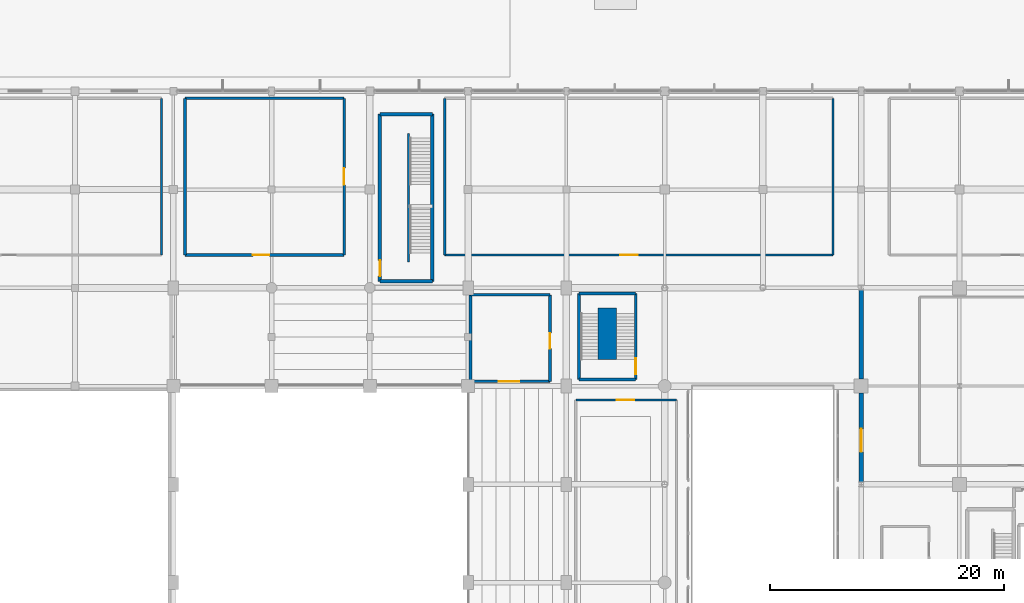
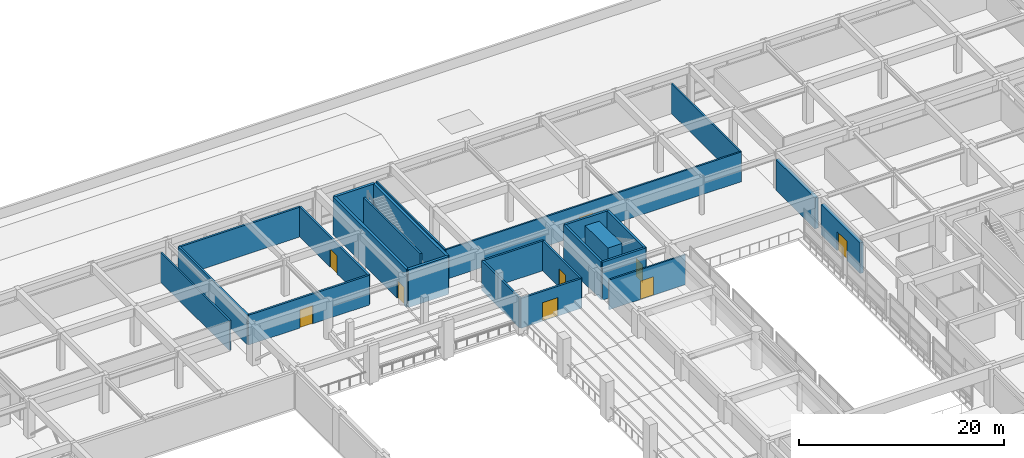
# One storey, part 47 of 60: 25 walls, 9 doors, 9 openings.
"""IFC4 building model written with IfcOpenShell, lengths in metres."""

from ifc_helpers import new_model, si_unit, direction, frame, frame_2d, origin, place, context, subcontext, project, spatial, rectangle, extrude, material, layer, layer_set, type_object, element, fill, save


model = new_model("IFC4")

# Units and contexts
model_context = context("Model", 3, precision=1e-05, world=origin(), true_north=direction((0.0, 1.0)))
body_context = subcontext(model_context, "Body", "Model", "MODEL_VIEW")
ifc_project = project(units=[si_unit("LENGTHUNIT", "METRE"), si_unit("AREAUNIT", "SQUARE_METRE"), si_unit("VOLUMEUNIT", "CUBIC_METRE"), si_unit("PLANEANGLEUNIT", "RADIAN"), si_unit("MASSUNIT", "GRAM", prefix="KILO")], contexts=[model_context])

# Site, building, storey
site_placement = place(None, origin())
site = spatial("IfcSite", under=ifc_project, at=site_placement, CompositionType="ELEMENT")
building_placement = place(site_placement, origin())
building = spatial("IfcBuilding", under=site, at=building_placement, Name="Xuanlan Plaza Opera House", CompositionType="ELEMENT")
storey_placement = place(building_placement, frame((0.0, 0.0, 9.89990234375)))
storey = spatial("IfcBuildingStorey", under=building, at=storey_placement, Name="L02", CompositionType="ELEMENT", Elevation=9.89990234375)

# Wall, opening, door
ifc_material_1 = material(Name="Gypsum Board and Galvanised Steel Studs", Category="gypsum")
ifc_layer_1 = layer(ifc_material_1, 0.179931640625)
ifc_layer_set_1 = layer_set([ifc_layer_1], Name="Gypsum Board and Galvanised Steel Studs")
wall_type_1 = type_object("IfcWallType", Name="INT-WL-PW-02", PredefinedType="PARTITIONING", material=ifc_layer_set_1)
wall_1_placement = place(storey_placement, frame((101.60009765625, 74.39990234375, 0.0), z_axis=(0.0, 0.0, 1.0), x_axis=(1.0, 0.0, 0.0)))
wall_1 = element("IfcWall", 1, at=wall_1_placement, inside=storey, type_object=wall_type_1, Name="Bel Canto Interval Lounge Wall North", PredefinedType="PARTITIONING", context=body_context, shape_type="SweptSolid", body=[
    extrude(rectangle(XDim=8.599853515625, YDim=0.179931640625, at=frame_2d((4.2998046875, 0.0))), origin(), (0.0, 0.0, 1.0), 3.5400390625),
])
opening_1_placement = place(wall_1_placement, frame((3.5, 0.0, 0.0)))
opening_1 = element("IfcOpeningElement", 2, at=opening_1_placement, cuts=wall_1, Name="Opening D-03", PredefinedType="OPENING", context=body_context, shape_type="SweptSolid", body=[
    extrude(rectangle(XDim=1.5, YDim=2.199951171875, at=frame_2d((0.75, 1.10009765625))), frame((0.0, 0.099853515625, 0.0), z_axis=(0.0, -1.0, 0.0), x_axis=(1.0, 0.0, 0.0)), (0.0, 0.0, 1.0), 0.199951171875),
])
ifc_material_2 = material(Name="Walnut Hardwood Timber", Category="wood")
door_type_1 = type_object("IfcDoorType", Name="INT-DR-D-03", OperationType="DOUBLE_DOOR_SINGLE_SWING", PredefinedType="DOOR", material=ifc_material_2)
door_1_placement = place(opening_1_placement, origin())
door_1 = element("IfcDoor", 3, at=door_1_placement, inside=storey, type_object=door_type_1, Name="Bel Canto Interval Lounge Door 1", OperationType="DOUBLE_DOOR_SINGLE_SWING", OverallHeight=2.199951171875, OverallWidth=1.5, PredefinedType="DOOR", context=body_context, shape_type="SweptSolid", body=[
    extrude(rectangle(XDim=1.5, YDim=2.199951171875, at=frame_2d((0.75, 1.10009765625))), frame((0.0, 0.02490234375, 0.0), z_axis=(0.0, -1.0, 0.0), x_axis=(1.0, 0.0, 0.0)), (0.0, 0.0, 1.0), 0.050048828125),
])
fill(opening_1, door_1)

# Wall
wall_2_placement = place(storey_placement, frame((66.199951171875, 86.800048828125, 0.0), z_axis=(0.0, 0.0, 1.0), x_axis=(0.0, 1.0, 0.0)))
element("IfcWall", 4, at=wall_2_placement, inside=storey, type_object=wall_type_1, Name="Orchestral Sheet-Music Library Archive Wall East", PredefinedType="PARTITIONING", context=body_context, shape_type="SweptSolid", body=[
    extrude(rectangle(XDim=13.39990234375, YDim=0.179931640625, at=frame_2d((6.699951171875, 0.0))), origin(), (0.0, 0.0, 1.0), 3.5400390625),
])

# Wall, opening, door
wall_3_placement = place(storey_placement, frame((90.39990234375, 86.800048828125, 0.0), z_axis=(0.0, 0.0, 1.0), x_axis=(1.0, 0.0, 0.0)))
wall_3 = element("IfcWall", 5, at=wall_3_placement, inside=storey, type_object=wall_type_1, Name="Stage Properties Archive Store Wall South", PredefinedType="PARTITIONING", context=body_context, shape_type="SweptSolid", body=[
    extrude(rectangle(XDim=33.2001953125, YDim=0.179931640625, at=frame_2d((16.60009765625, 0.0))), origin(), (0.0, 0.0, 1.0), 3.5400390625),
])
opening_2_placement = place(wall_3_placement, frame((15.0, 0.0, 0.0)))
opening_2 = element("IfcOpeningElement", 6, at=opening_2_placement, cuts=wall_3, Name="Opening D-03", PredefinedType="OPENING", context=body_context, shape_type="SweptSolid", body=[
    extrude(rectangle(XDim=1.5, YDim=2.199951171875, at=frame_2d((0.75, 1.10009765625))), frame((0.0, 0.099853515625, 0.0), z_axis=(0.0, -1.0, 0.0), x_axis=(1.0, 0.0, 0.0)), (0.0, 0.0, 1.0), 0.199951171875),
])
door_2_placement = place(opening_2_placement, origin())
door_2 = element("IfcDoor", 7, at=door_2_placement, inside=storey, type_object=door_type_1, Name="Stage Properties Archive Store Door 1", OperationType="DOUBLE_DOOR_SINGLE_SWING", OverallHeight=2.199951171875, OverallWidth=1.5, PredefinedType="DOOR", context=body_context, shape_type="SweptSolid", body=[
    extrude(rectangle(XDim=1.5, YDim=2.199951171875, at=frame_2d((0.75, 1.10009765625))), frame((0.0, 0.02490234375, 0.0), z_axis=(0.0, -1.0, 0.0), x_axis=(1.0, 0.0, 0.0)), (0.0, 0.0, 1.0), 0.050048828125),
])
fill(opening_2, door_2)

# Walls
for number, where, z_axis, x_axis, name in (
    (8, (90.39990234375, 86.800048828125, 0.0), (0.0, 0.0, 1.0), (0.0, 1.0, 0.0), "Stage Properties Archive Store Wall West"),
    (9, (123.60009765625, 86.800048828125, 0.0), (0.0, 0.0, 1.0), (0.0, 1.0, 0.0), "Stage Properties Archive Store Wall East"),
):
    element("IfcWall", number, at=place(storey_placement, frame(where, z_axis=z_axis, x_axis=x_axis)), inside=storey, type_object=wall_type_1, Name=name, PredefinedType="PARTITIONING", context=body_context, shape_type="SweptSolid", body=[
        extrude(rectangle(XDim=13.39990234375, YDim=0.179931640625, at=frame_2d((6.699951171875, 0.0))), origin(), (0.0, 0.0, 1.0), 3.5400390625),
    ])

# Wall, opening, door
ifc_material_3 = material(Name="Autoclaved Aerated Blockwork Masonry", Category="masonry")
ifc_layer_2 = layer(ifc_material_3, 0.219970703125)
ifc_layer_set_2 = layer_set([ifc_layer_2], Name="Autoclaved Aerated Blockwork Masonry")
wall_type_2 = type_object("IfcWallType", Name="INT-WL-PW-06", PredefinedType="PARTITIONING", material=ifc_layer_set_2)
wall_4_placement = place(storey_placement, frame((92.60009765625, 76.0, 0.0), z_axis=(0.0, 0.0, 1.0), x_axis=(1.0, 0.0, 0.0)))
wall_4 = element("IfcWall", 10, at=wall_4_placement, inside=storey, type_object=wall_type_2, Name="Dress Circle Vomitory North Wall South", PredefinedType="PARTITIONING", context=body_context, shape_type="SweptSolid", body=[
    extrude(rectangle(XDim=6.7998046875, YDim=0.219970703125, at=frame_2d((3.39990234375, 0.0))), origin(), (0.0, 0.0, 1.0), 3.5400390625),
])
opening_3_placement = place(wall_4_placement, frame((2.39990234375, 0.0, 0.0)))
opening_3 = element("IfcOpeningElement", 11, at=opening_3_placement, cuts=wall_4, Name="Opening FD-03", PredefinedType="OPENING", context=body_context, shape_type="SweptSolid", body=[
    extrude(rectangle(XDim=1.75, YDim=2.199951171875, at=frame_2d((0.875, 1.10009765625))), frame((0.0, 0.119873046875, 0.0), z_axis=(0.0, -1.0, 0.0), x_axis=(1.0, 0.0, 0.0)), (0.0, 0.0, 1.0), 0.239990234375),
])
ifc_material_4 = material(Name="Galvanised Steel Q235B", Category="steel")
door_type_2 = type_object("IfcDoorType", Name="INT-DR-FD-03", OperationType="DOUBLE_DOOR_SINGLE_SWING", PredefinedType="DOOR", material=ifc_material_4)
door_3_placement = place(opening_3_placement, origin())
door_3 = element("IfcDoor", 12, at=door_3_placement, inside=storey, type_object=door_type_2, Name="Dress Circle Vomitory North Door 1", OperationType="DOUBLE_DOOR_SINGLE_SWING", OverallHeight=2.199951171875, OverallWidth=1.75, PredefinedType="DOOR", context=body_context, shape_type="SweptSolid", body=[
    extrude(rectangle(XDim=1.75, YDim=2.199951171875, at=frame_2d((0.875, 1.10009765625))), frame((0.0, 0.02490234375, 0.0), z_axis=(0.0, -1.0, 0.0), x_axis=(1.0, 0.0, 0.0)), (0.0, 0.0, 1.0), 0.050048828125),
])
fill(opening_3, door_3)

# Walls
wall_5_placement = place(storey_placement, frame((92.60009765625, 83.39990234375, 0.0), z_axis=(0.0, 0.0, 1.0), x_axis=(1.0, 0.0, 0.0)))
element("IfcWall", 13, at=wall_5_placement, inside=storey, type_object=wall_type_2, Name="Dress Circle Vomitory North Wall North", PredefinedType="PARTITIONING", context=body_context, shape_type="SweptSolid", body=[
    extrude(rectangle(XDim=6.7998046875, YDim=0.219970703125, at=frame_2d((3.39990234375, 0.0))), origin(), (0.0, 0.0, 1.0), 3.5400390625),
])
wall_6_placement = place(storey_placement, frame((92.60009765625, 76.0, 0.0), z_axis=(0.0, 0.0, 1.0), x_axis=(0.0, 1.0, 0.0)))
element("IfcWall", 14, at=wall_6_placement, inside=storey, type_object=wall_type_2, Name="Dress Circle Vomitory North Wall West", PredefinedType="PARTITIONING", context=body_context, shape_type="SweptSolid", body=[
    extrude(rectangle(XDim=7.39990234375, YDim=0.219970703125, at=frame_2d((3.699951171875, 0.0))), origin(), (0.0, 0.0, 1.0), 3.5400390625),
])

# Wall, opening, door
wall_7_placement = place(storey_placement, frame((99.39990234375, 76.0, 0.0), z_axis=(0.0, 0.0, 1.0), x_axis=(0.0, 1.0, 0.0)))
wall_7 = element("IfcWall", 15, at=wall_7_placement, inside=storey, type_object=wall_type_2, Name="Dress Circle Vomitory North Wall East", PredefinedType="PARTITIONING", context=body_context, shape_type="SweptSolid", body=[
    extrude(rectangle(XDim=7.39990234375, YDim=0.219970703125, at=frame_2d((3.699951171875, 0.0))), origin(), (0.0, 0.0, 1.0), 3.5400390625),
])
opening_4_placement = place(wall_7_placement, frame((2.800048828125, 0.0, 0.0)))
opening_4 = element("IfcOpeningElement", 16, at=opening_4_placement, cuts=wall_7, Name="Opening D-07", PredefinedType="OPENING", context=body_context, shape_type="SweptSolid", body=[
    extrude(rectangle(XDim=1.320068359375, YDim=2.179931640625, at=frame_2d((0.66015625, 1.08984375))), frame((0.0, 0.119873046875, 0.0), z_axis=(0.0, -1.0, 0.0), x_axis=(1.0, 0.0, 0.0)), (0.0, 0.0, 1.0), 0.239990234375),
])
door_type_3 = type_object("IfcDoorType", Name="INT-DR-D-07", OperationType="NOTDEFINED", PredefinedType="DOOR", material=ifc_material_2)
door_4_placement = place(opening_4_placement, origin())
door_4 = element("IfcDoor", 17, at=door_4_placement, inside=storey, type_object=door_type_3, Name="Dress Circle Vomitory North Door 1", OperationType="SINGLE_SWING_LEFT", OverallHeight=2.179931640625, OverallWidth=1.320068359375, PredefinedType="DOOR", context=body_context, shape_type="SweptSolid", body=[
    extrude(rectangle(XDim=1.320068359375, YDim=2.179931640625, at=frame_2d((0.66015625, 1.08984375))), frame((0.0, 0.02490234375, 0.0), z_axis=(0.0, -1.0, 0.0), x_axis=(1.0, 0.0, 0.0)), (0.0, 0.0, 1.0), 0.050048828125),
])
fill(opening_4, door_4)

wall_8_placement = place(storey_placement, frame((68.199951171875, 86.800048828125, 0.0), z_axis=(0.0, 0.0, 1.0), x_axis=(1.0, 0.0, 0.0)))
wall_8 = element("IfcWall", 18, at=wall_8_placement, inside=storey, type_object=wall_type_2, Name="Lighting Programming Studio Wall South", PredefinedType="PARTITIONING", context=body_context, shape_type="SweptSolid", body=[
    extrude(rectangle(XDim=13.60009765625, YDim=0.219970703125, at=frame_2d((6.800048828125, 0.0))), origin(), (0.0, 0.0, 1.0), 3.5400390625),
])
opening_5_placement = place(wall_8_placement, frame((5.800048828125, 0.0, 0.0)))
opening_5 = element("IfcOpeningElement", 19, at=opening_5_placement, cuts=wall_8, Name="Opening D-12", PredefinedType="OPENING", context=body_context, shape_type="SweptSolid", body=[
    extrude(rectangle(XDim=1.419921875, YDim=2.179931640625, at=frame_2d((0.7099609375, 1.08984375))), frame((0.0, 0.119873046875, 0.0), z_axis=(0.0, -1.0, 0.0), x_axis=(1.0, 0.0, 0.0)), (0.0, 0.0, 1.0), 0.239990234375),
])
ifc_material_5 = material(Name="Oak Hardwood Timber", Category="wood")
door_type_4 = type_object("IfcDoorType", Name="INT-DR-D-12", OperationType="DOUBLE_DOOR_SINGLE_SWING", PredefinedType="DOOR", material=ifc_material_5)
door_5_placement = place(opening_5_placement, origin())
door_5 = element("IfcDoor", 20, at=door_5_placement, inside=storey, type_object=door_type_4, Name="Lighting Programming Studio Door 1", OperationType="DOUBLE_DOOR_SINGLE_SWING", OverallHeight=2.179931640625, OverallWidth=1.419921875, PredefinedType="DOOR", context=body_context, shape_type="SweptSolid", body=[
    extrude(rectangle(XDim=1.419921875, YDim=2.179931640625, at=frame_2d((0.7099609375, 1.08984375))), frame((0.0, 0.02490234375, 0.0), z_axis=(0.0, -1.0, 0.0), x_axis=(1.0, 0.0, 0.0)), (0.0, 0.0, 1.0), 0.050048828125),
])
fill(opening_5, door_5)

# Walls
wall_9_placement = place(storey_placement, frame((68.199951171875, 100.199951171875, 0.0), z_axis=(0.0, 0.0, 1.0), x_axis=(1.0, 0.0, 0.0)))
element("IfcWall", 21, at=wall_9_placement, inside=storey, type_object=wall_type_2, Name="Lighting Programming Studio Wall North", PredefinedType="PARTITIONING", context=body_context, shape_type="SweptSolid", body=[
    extrude(rectangle(XDim=13.60009765625, YDim=0.219970703125, at=frame_2d((6.800048828125, 0.0))), origin(), (0.0, 0.0, 1.0), 3.5400390625),
])
wall_10_placement = place(storey_placement, frame((68.199951171875, 86.800048828125, 0.0), z_axis=(0.0, 0.0, 1.0), x_axis=(0.0, 1.0, 0.0)))
element("IfcWall", 22, at=wall_10_placement, inside=storey, type_object=wall_type_2, Name="Lighting Programming Studio Wall West", PredefinedType="PARTITIONING", context=body_context, shape_type="SweptSolid", body=[
    extrude(rectangle(XDim=13.39990234375, YDim=0.219970703125, at=frame_2d((6.699951171875, 0.0))), origin(), (0.0, 0.0, 1.0), 3.5400390625),
])

# Wall, opening, door
wall_11_placement = place(storey_placement, frame((81.800048828125, 86.800048828125, 0.0), z_axis=(0.0, 0.0, 1.0), x_axis=(0.0, 1.0, 0.0)))
wall_11 = element("IfcWall", 23, at=wall_11_placement, inside=storey, type_object=wall_type_2, Name="Lighting Programming Studio Wall East", PredefinedType="PARTITIONING", context=body_context, shape_type="SweptSolid", body=[
    extrude(rectangle(XDim=13.39990234375, YDim=0.219970703125, at=frame_2d((6.699951171875, 0.0))), origin(), (0.0, 0.0, 1.0), 3.5400390625),
])
opening_6_placement = place(wall_11_placement, frame((6.0, 0.0, 0.0)))
opening_6 = element("IfcOpeningElement", 24, at=opening_6_placement, cuts=wall_11, Name="Opening D-12", PredefinedType="OPENING", context=body_context, shape_type="SweptSolid", body=[
    extrude(rectangle(XDim=1.419921875, YDim=2.179931640625, at=frame_2d((0.7099609375, 1.08984375))), frame((0.0, 0.119873046875, 0.0), z_axis=(0.0, -1.0, 0.0), x_axis=(1.0, 0.0, 0.0)), (0.0, 0.0, 1.0), 0.239990234375),
])
door_6_placement = place(opening_6_placement, origin())
door_6 = element("IfcDoor", 25, at=door_6_placement, inside=storey, type_object=door_type_4, Name="Lighting Programming Studio Door 1", OperationType="DOUBLE_DOOR_SINGLE_SWING", OverallHeight=2.179931640625, OverallWidth=1.419921875, PredefinedType="DOOR", context=body_context, shape_type="SweptSolid", body=[
    extrude(rectangle(XDim=1.419921875, YDim=2.179931640625, at=frame_2d((0.7099609375, 1.08984375))), frame((0.0, 0.02490234375, 0.0), z_axis=(0.0, -1.0, 0.0), x_axis=(1.0, 0.0, 0.0)), (0.0, 0.0, 1.0), 0.050048828125),
])
fill(opening_6, door_6)

ifc_material_6 = material(Name="Concrete C50", Category="concrete")
ifc_layer_3 = layer(ifc_material_6, 0.3798828125)
ifc_layer_set_3 = layer_set([ifc_layer_3], Name="Concrete C50")
wall_type_3 = type_object("IfcWallType", Name="INT-WL-SW-FW1", PredefinedType="SHEAR", material=ifc_layer_set_3)
wall_12_placement = place(storey_placement, frame((126.0, 67.406982421875, 0.0), z_axis=(0.0, 0.0, 1.0), x_axis=(0.0, 1.0, 0.0)))
wall_12 = element("IfcWall", 26, at=wall_12_placement, inside=storey, type_object=wall_type_3, Name="Opera-Tower Compartment Firewall L02-03", PredefinedType="SHEAR", context=body_context, shape_type="SweptSolid", body=[
    extrude(rectangle(XDim=7.593017578125, YDim=0.3798828125, at=frame_2d((3.79638671875, 0.0))), origin(), (0.0, 0.0, 1.0), 3.650146484375),
])
opening_7_placement = place(wall_12_placement, frame((2.574951171875, 0.0, 0.0)))
opening_7 = element("IfcOpeningElement", 27, at=opening_7_placement, cuts=wall_12, Name="Opening FD-04", PredefinedType="OPENING", context=body_context, shape_type="SweptSolid", body=[
    extrude(rectangle(XDim=1.949951171875, YDim=2.300048828125, at=frame_2d((0.97509765625, 1.14990234375))), frame((0.0, 0.199951171875, 0.0), z_axis=(0.0, -1.0, 0.0), x_axis=(1.0, 0.0, 0.0)), (0.0, 0.0, 1.0), 0.39990234375),
])
door_type_5 = type_object("IfcDoorType", Name="INT-DR-FD-04", OperationType="DOUBLE_DOOR_SINGLE_SWING", PredefinedType="DOOR", material=ifc_material_4)
door_7_placement = place(opening_7_placement, origin())
door_7 = element("IfcDoor", 28, at=door_7_placement, inside=storey, type_object=door_type_5, Name="Compartment Firewall Door L02-03", OperationType="DOUBLE_DOOR_SINGLE_SWING", OverallHeight=2.300048828125, OverallWidth=1.949951171875, PredefinedType="DOOR", context=body_context, shape_type="SweptSolid", body=[
    extrude(rectangle(XDim=1.949951171875, YDim=2.300048828125, at=frame_2d((0.97509765625, 1.14990234375))), frame((0.0, 0.02490234375, 0.0), z_axis=(0.0, -1.0, 0.0), x_axis=(1.0, 0.0, 0.0)), (0.0, 0.0, 1.0), 0.050048828125),
])
fill(opening_7, door_7)

# Walls
wall_13_placement = place(storey_placement, frame((126.0, 76.199951171875, 0.0), z_axis=(0.0, 0.0, 1.0), x_axis=(0.0, 1.0, 0.0)))
element("IfcWall", 29, at=wall_13_placement, inside=storey, type_object=wall_type_3, Name="Opera-Tower Compartment Firewall L02-04", PredefinedType="SHEAR", context=body_context, shape_type="SweptSolid", body=[
    extrude(rectangle(XDim=7.593017578125, YDim=0.3798828125, at=frame_2d((3.79638671875, 0.0))), origin(), (0.0, 0.0, 1.0), 3.650146484375),
])
ifc_layer_4 = layer(ifc_material_6, 1.60009765625)
ifc_layer_set_4 = layer_set([ifc_layer_4], Name="Concrete C50")
wall_type_4 = type_object("IfcWallType", Name="INT-WL-SW-SP2", PredefinedType="SHEAR", material=ifc_layer_set_4)
wall_14_placement = place(storey_placement, frame((104.300048828125, 77.8798828125, 0.0), z_axis=(0.0, 0.0, 1.0), x_axis=(0.0, 1.0, 0.0)))
element("IfcWall", 30, at=wall_14_placement, inside=storey, type_object=wall_type_4, Name="Half-Turn Stair Structural Spine Wall ST-F2 L02", PredefinedType="SHEAR", context=body_context, shape_type="SweptSolid", body=[
    extrude(rectangle(XDim=4.400146484375, YDim=1.60009765625, at=frame_2d((2.2001953125, 0.0))), origin(), (0.0, 0.0, 1.0), 4.5),
])
ifc_material_7 = material(Name="Concrete C40", Category="concrete")
ifc_layer_5 = layer(ifc_material_7, 0.199951171875)
ifc_layer_set_5 = layer_set([ifc_layer_5], Name="Concrete C40")
wall_type_5 = type_object("IfcWallType", Name="INT-WL-SW-SPN", PredefinedType="SHEAR", material=ifc_layer_set_5)
wall_15_placement = place(storey_placement, frame((87.300048828125, 86.199951171875, 0.0), z_axis=(0.0, 0.0, 1.0), x_axis=(0.0, 1.0, 0.0)))
element("IfcWall", 31, at=wall_15_placement, inside=storey, type_object=wall_type_5, Name="Stair Structural Spine Wall ST-P4 L02", PredefinedType="SHEAR", context=body_context, shape_type="SweptSolid", body=[
    extrude(rectangle(XDim=11.0, YDim=0.199951171875, at=frame_2d((5.5, 0.0))), origin(), (0.0, 0.0, 1.0), 4.5),
])
ifc_layer_6 = layer(ifc_material_7, 0.300048828125)
ifc_layer_set_6 = layer_set([ifc_layer_6], Name="Concrete C40")
wall_type_6 = type_object("IfcWallType", Name="INT-WL-SW-ST1", PredefinedType="SHEAR", material=ifc_layer_set_6)
for number, where, z_axis, x_axis, name in (
    (32, (84.85009765625, 84.550048828125, 0.0), (0.0, 0.0, 1.0), (1.0, 0.0, 0.0), "Stair Core Wall ST-P4 L02 South"),
    (33, (84.85009765625, 98.85009765625, 0.0), (0.0, 0.0, 1.0), (1.0, 0.0, 0.0), "Stair Core Wall ST-P4 L02 North"),
):
    element("IfcWall", number, at=place(storey_placement, frame(where, z_axis=z_axis, x_axis=x_axis)), inside=storey, type_object=wall_type_6, Name=name, PredefinedType="SHEAR", context=body_context, shape_type="SweptSolid", body=[
        extrude(rectangle(XDim=4.5, YDim=0.300048828125, at=frame_2d((2.25, 0.0))), origin(), (0.0, 0.0, 1.0), 4.5),
    ])

# Wall, opening, door
wall_16_placement = place(storey_placement, frame((84.85009765625, 84.550048828125, 0.0), z_axis=(0.0, 0.0, 1.0), x_axis=(0.0, 1.0, 0.0)))
wall_16 = element("IfcWall", 34, at=wall_16_placement, inside=storey, type_object=wall_type_6, Name="Stair Core Wall ST-P4 L02 West", PredefinedType="SHEAR", context=body_context, shape_type="SweptSolid", body=[
    extrude(rectangle(XDim=14.300048828125, YDim=0.300048828125, at=frame_2d((7.14990234375, 0.0))), origin(), (0.0, 0.0, 1.0), 4.5),
])
opening_8_placement = place(wall_16_placement, frame((0.449951171875, 0.0, 0.0)))
opening_8 = element("IfcOpeningElement", 35, at=opening_8_placement, cuts=wall_16, Name="Opening FD-ST2", PredefinedType="OPENING", context=body_context, shape_type="SweptSolid", body=[
    extrude(rectangle(XDim=1.35009765625, YDim=2.14990234375, at=frame_2d((0.675048828125, 1.074951171875))), frame((0.0, 0.159912109375, 0.0), z_axis=(0.0, -1.0, 0.0), x_axis=(1.0, 0.0, 0.0)), (0.0, 0.0, 1.0), 0.320068359375),
])
door_type_6 = type_object("IfcDoorType", Name="INT-DR-FD-ST2", OperationType="NOTDEFINED", PredefinedType="DOOR", material=ifc_material_4)
door_8_placement = place(opening_8_placement, frame((1.35009765625, 0.0, 0.0), z_axis=(0.0, 0.0, 1.0), x_axis=(-1.0, 0.0, 0.0)))
door_8 = element("IfcDoor", 36, at=door_8_placement, inside=storey, type_object=door_type_6, Name="Stair Enclosure Fire Door ST-P4 L02", OperationType="SINGLE_SWING_RIGHT", OverallHeight=2.14990234375, OverallWidth=1.35009765625, PredefinedType="DOOR", context=body_context, shape_type="SweptSolid", body=[
    extrude(rectangle(XDim=1.35009765625, YDim=2.14990234375, at=frame_2d((0.675048828125, 1.074951171875))), frame((0.0, 0.02490234375, 0.0), z_axis=(0.0, -1.0, 0.0), x_axis=(1.0, 0.0, 0.0)), (0.0, 0.0, 1.0), 0.050048828125),
])
fill(opening_8, door_8)

# Walls
wall_17_placement = place(storey_placement, frame((89.35009765625, 84.550048828125, 0.0), z_axis=(0.0, 0.0, 1.0), x_axis=(0.0, 1.0, 0.0)))
element("IfcWall", 37, at=wall_17_placement, inside=storey, type_object=wall_type_6, Name="Stair Core Wall ST-P4 L02 East", PredefinedType="SHEAR", context=body_context, shape_type="SweptSolid", body=[
    extrude(rectangle(XDim=14.300048828125, YDim=0.300048828125, at=frame_2d((7.14990234375, 0.0))), origin(), (0.0, 0.0, 1.0), 4.5),
])
ifc_layer_7 = layer(ifc_material_7, 0.25)
ifc_layer_set_7 = layer_set([ifc_layer_7], Name="Concrete C40")
wall_type_7 = type_object("IfcWallType", Name="INT-WL-SW-ST2", PredefinedType="SHEAR", material=ifc_layer_set_7)
for number, where, z_axis, x_axis, name in (
    (38, (101.875, 76.175048828125, 0.0), (0.0, 0.0, 1.0), (1.0, 0.0, 0.0), "Stair Core Wall ST-F2 L02 South"),
    (39, (101.875, 83.5048828125, 0.0), (0.0, 0.0, 1.0), (1.0, 0.0, 0.0), "Stair Core Wall ST-F2 L02 North"),
):
    element("IfcWall", number, at=place(storey_placement, frame(where, z_axis=z_axis, x_axis=x_axis)), inside=storey, type_object=wall_type_7, Name=name, PredefinedType="SHEAR", context=body_context, shape_type="SweptSolid", body=[
        extrude(rectangle(XDim=4.85009765625, YDim=0.25, at=frame_2d((2.425048828125, 0.0))), origin(), (0.0, 0.0, 1.0), 4.5),
    ])
wall_18_placement = place(storey_placement, frame((101.875, 76.175048828125, 0.0), z_axis=(0.0, 0.0, 1.0), x_axis=(0.0, 1.0, 0.0)))
element("IfcWall", 40, at=wall_18_placement, inside=storey, type_object=wall_type_7, Name="Stair Core Wall ST-F2 L02 West", PredefinedType="SHEAR", context=body_context, shape_type="SweptSolid", body=[
    extrude(rectangle(XDim=7.329833984375, YDim=0.25, at=frame_2d((3.6650390625, 0.0))), origin(), (0.0, 0.0, 1.0), 4.5),
])

# Wall, opening, door
wall_19_placement = place(storey_placement, frame((106.72509765625, 76.175048828125, 0.0), z_axis=(0.0, 0.0, 1.0), x_axis=(0.0, 1.0, 0.0)))
wall_19 = element("IfcWall", 41, at=wall_19_placement, inside=storey, type_object=wall_type_7, Name="Stair Core Wall ST-F2 L02 East", PredefinedType="SHEAR", context=body_context, shape_type="SweptSolid", body=[
    extrude(rectangle(XDim=7.329833984375, YDim=0.25, at=frame_2d((3.6650390625, 0.0))), origin(), (0.0, 0.0, 1.0), 4.5),
])
opening_9_placement = place(wall_19_placement, frame((0.449951171875, 0.0, 0.0)))
opening_9 = element("IfcOpeningElement", 42, at=opening_9_placement, cuts=wall_19, Name="Opening FD-ST2", PredefinedType="OPENING", context=body_context, shape_type="SweptSolid", body=[
    extrude(rectangle(XDim=1.35009765625, YDim=2.14990234375, at=frame_2d((0.675048828125, 1.074951171875))), frame((0.0, 0.135009765625, 0.0), z_axis=(0.0, -1.0, 0.0), x_axis=(1.0, 0.0, 0.0)), (0.0, 0.0, 1.0), 0.27001953125),
])
door_9_placement = place(opening_9_placement, origin())
door_9 = element("IfcDoor", 43, at=door_9_placement, inside=storey, type_object=door_type_6, Name="Stair Enclosure Fire Door ST-F2 L02", OperationType="SINGLE_SWING_RIGHT", OverallHeight=2.14990234375, OverallWidth=1.35009765625, PredefinedType="DOOR", context=body_context, shape_type="SweptSolid", body=[
    extrude(rectangle(XDim=1.35009765625, YDim=2.14990234375, at=frame_2d((0.675048828125, 1.074951171875))), frame((0.0, 0.02490234375, 0.0), z_axis=(0.0, -1.0, 0.0), x_axis=(1.0, 0.0, 0.0)), (0.0, 0.0, 1.0), 0.050048828125),
])
fill(opening_9, door_9)

save(model, "model.ifc")
